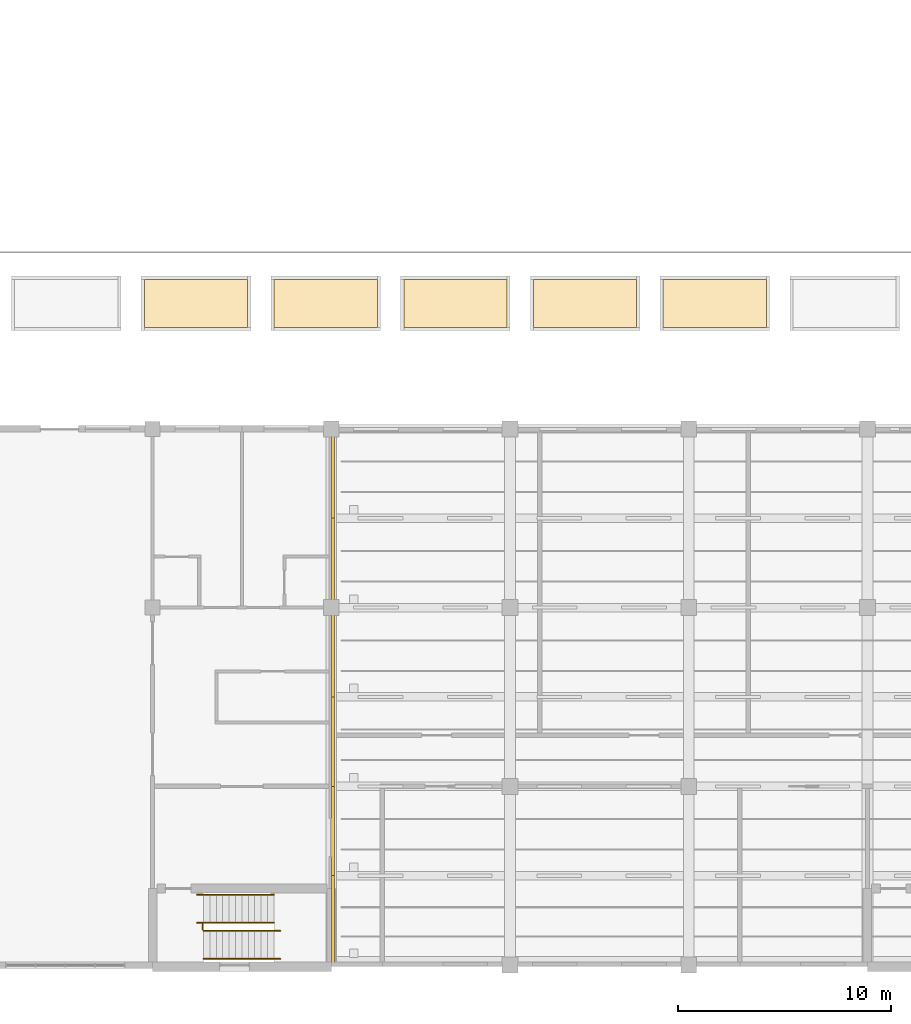
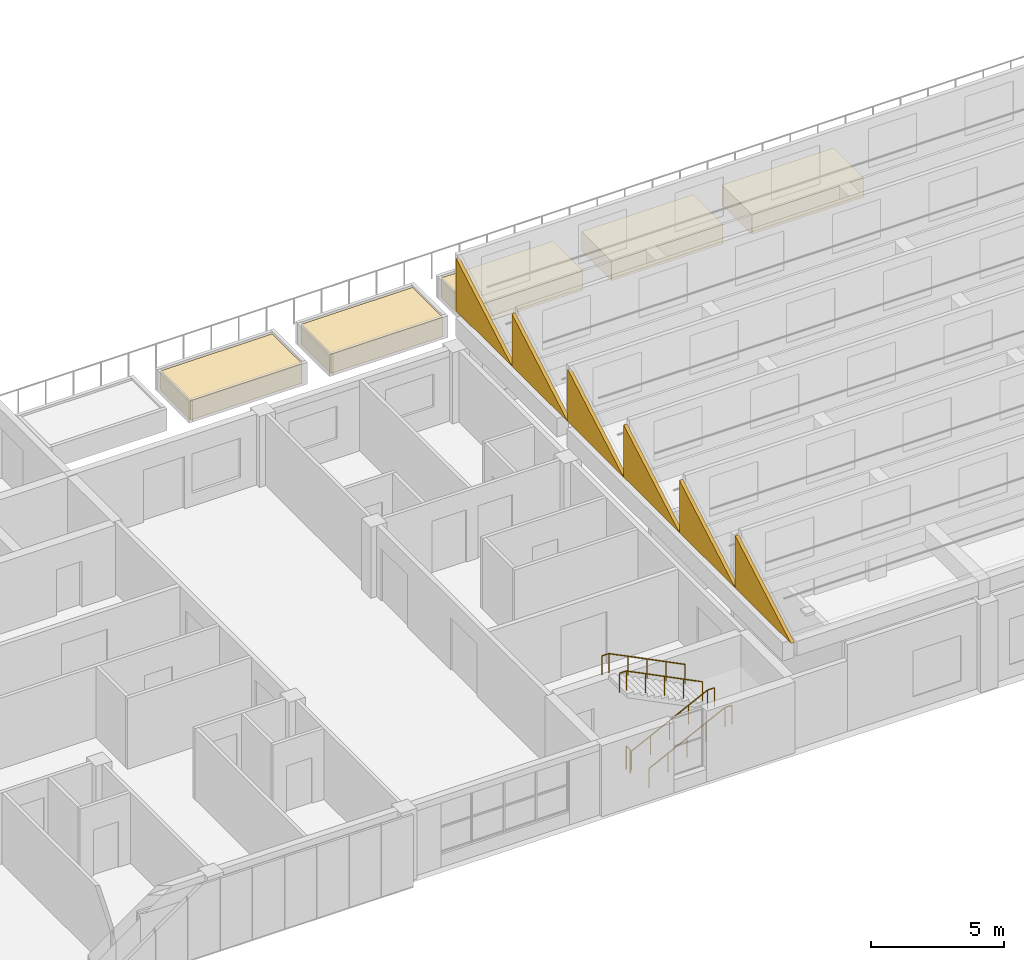
# One storey, part 54 of 61: 11 coverings, 5 railings.
"""IFC4 building model written with IfcOpenShell, lengths in metres."""

from ifc_helpers import new_model, si_unit, direction, frame, origin, origin_2d, place, context, subcontext, project, spatial, polyline, circle, outline, extrude, material, layer, layer_set, type_object, element, save


model = new_model("IFC4")

# Units and contexts
model_context = context("Model", 3, precision=1e-05, world=origin(), true_north=direction((0.0, 1.0)))
body_context = subcontext(model_context, "Body", "Model", "MODEL_VIEW")
ifc_project = project(units=[si_unit("LENGTHUNIT", "METRE"), si_unit("AREAUNIT", "SQUARE_METRE"), si_unit("VOLUMEUNIT", "CUBIC_METRE"), si_unit("PLANEANGLEUNIT", "RADIAN"), si_unit("MASSUNIT", "GRAM", prefix="KILO")], contexts=[model_context])

# Site, building, storey
site_placement = place(None, origin())
site = spatial("IfcSite", under=ifc_project, at=site_placement, CompositionType="ELEMENT")
building_placement = place(site_placement, origin())
building = spatial("IfcBuilding", under=site, at=building_placement, Name="Yavir Park General Hospital", CompositionType="ELEMENT")
storey_placement = place(building_placement, frame((0.0, 0.0, 15.300048828125)))
storey = spatial("IfcBuildingStorey", under=building, at=storey_placement, Name="L03", CompositionType="ELEMENT", Elevation=15.300048828125)

# Coverings
ifc_material_1 = material(Name="Glass-fibre reinforced concrete", Category="concrete")
ifc_layer_1 = layer(ifc_material_1, 0.14990234375)
ifc_layer_set_1 = layer_set([ifc_layer_1], Name="Glass-fibre reinforced concrete")
covering_type_1 = type_object("IfcCoveringType", Name="Gable end GFRC panel 150", PredefinedType="CLADDING", material=ifc_layer_set_1)
for number, where, z_axis, x_axis, name in (
    (1, (42.0, 0.0, 4.846923828125), (-1.0, 0.0, 0.0), (0.0, 1.0, 0.0), "Gable end panel SAW-W-T01"),
    (2, (42.0, 4.199951171875, 4.846923828125), (-1.0, 0.0, 0.0), (0.0, 1.0, 0.0), "Gable end panel SAW-W-T02"),
):
    element("IfcCovering", number, at=place(storey_placement, frame(where, z_axis=z_axis, x_axis=x_axis)), inside=storey, type_object=covering_type_1, Name=name, PredefinedType="CLADDING", context=body_context, shape_type="SweptSolid", body=[
        extrude(outline(polyline([(0.0, 0.0), (4.199951171875, 0.0), (4.199951171875, -2.400146484375), (0.0, 0.0)])), origin(), (0.0, 0.0, -1.0), 0.14990234375),
    ])
covering_1_placement = place(storey_placement, frame((42.0, 8.39990234375, 4.846923828125), z_axis=(-1.0, 0.0, 0.0), x_axis=(0.0, 1.0, 0.0)))
element("IfcCovering", 3, at=covering_1_placement, inside=storey, type_object=covering_type_1, Name="Gable end panel SAW-W-T03", PredefinedType="CLADDING", context=body_context, shape_type="SweptSolid", body=[
    extrude(outline(polyline([(0.0, 0.0), (4.2001953125, 0.0), (4.2001953125, -2.400146484375), (0.0, 0.0)])), origin(), (0.0, 0.0, -1.0), 0.14990234375),
])
for number, where, z_axis, x_axis, name in (
    (4, (42.0, 12.60009765625, 4.846923828125), (-1.0, 0.0, 0.0), (0.0, 1.0, 0.0), "Gable end panel SAW-W-T04"),
    (5, (42.0, 16.800048828125, 4.846923828125), (-1.0, 0.0, 0.0), (0.0, 1.0, 0.0), "Gable end panel SAW-W-T05"),
    (6, (42.0, 21.0, 4.846923828125), (-1.0, 0.0, 0.0), (0.0, 1.0, 0.0), "Gable end panel SAW-W-T06"),
):
    element("IfcCovering", number, at=place(storey_placement, frame(where, z_axis=z_axis, x_axis=x_axis)), inside=storey, type_object=covering_type_1, Name=name, PredefinedType="CLADDING", context=body_context, shape_type="SweptSolid", body=[
        extrude(outline(polyline([(0.0, 0.0), (4.199951171875, 0.0), (4.199951171875, -2.400146484375), (0.0, 0.0)])), origin(), (0.0, 0.0, -1.0), 0.14990234375),
    ])
ifc_material_2 = material(Name="Green roof substrate")
ifc_layer_2 = layer(ifc_material_2, 0.89990234375)
ifc_layer_set_2 = layer_set([ifc_layer_2], Name="Green roof substrate")
covering_type_2 = type_object("IfcCoveringType", Name="Green roof substrate 900", PredefinedType="FLOORING", material=ifc_layer_set_2)
covering_2_placement = place(storey_placement, origin())
element("IfcCovering", 7, at=covering_2_placement, inside=storey, type_object=covering_type_2, Name="Planting bed substrate 2", PredefinedType="FLOORING", context=body_context, shape_type="SweptSolid", body=[
    extrude(outline(polyline([(33.218505859375, 29.97509765625), (38.068603515625, 29.97509765625), (38.068603515625, 32.22509765625), (33.218505859375, 32.22509765625), (33.218505859375, 29.97509765625)])), origin(), (0.0, 0.0, 1.0), 0.89990234375),
])
covering_3_placement = place(storey_placement, origin())
element("IfcCovering", 8, at=covering_3_placement, inside=storey, type_object=covering_type_2, Name="Planting bed substrate 3", PredefinedType="FLOORING", context=body_context, shape_type="SweptSolid", body=[
    extrude(outline(polyline([(39.314208984375, 29.97509765625), (44.1640625, 29.97509765625), (44.1640625, 32.22509765625), (39.314208984375, 32.22509765625), (39.314208984375, 29.97509765625)])), origin(), (0.0, 0.0, 1.0), 0.89990234375),
])
covering_4_placement = place(storey_placement, origin())
element("IfcCovering", 9, at=covering_4_placement, inside=storey, type_object=covering_type_2, Name="Planting bed substrate 4", PredefinedType="FLOORING", context=body_context, shape_type="SweptSolid", body=[
    extrude(outline(polyline([(45.409912109375, 29.97509765625), (50.259765625, 29.97509765625), (50.259765625, 32.22509765625), (45.409912109375, 32.22509765625), (45.409912109375, 29.97509765625)])), origin(), (0.0, 0.0, 1.0), 0.89990234375),
])
covering_5_placement = place(storey_placement, origin())
element("IfcCovering", 10, at=covering_5_placement, inside=storey, type_object=covering_type_2, Name="Planting bed substrate 5", PredefinedType="FLOORING", context=body_context, shape_type="SweptSolid", body=[
    extrude(outline(polyline([(51.50537109375, 29.97509765625), (56.35546875, 29.97509765625), (56.35546875, 32.22509765625), (51.50537109375, 32.22509765625), (51.50537109375, 29.97509765625)])), origin(), (0.0, 0.0, 1.0), 0.89990234375),
])
covering_6_placement = place(storey_placement, origin())
element("IfcCovering", 11, at=covering_6_placement, inside=storey, type_object=covering_type_2, Name="Planting bed substrate 6", PredefinedType="FLOORING", context=body_context, shape_type="SweptSolid", body=[
    extrude(outline(polyline([(57.60107421875, 29.97509765625), (62.451171875, 29.97509765625), (62.451171875, 32.22509765625), (57.60107421875, 32.22509765625), (57.60107421875, 29.97509765625)])), origin(), (0.0, 0.0, 1.0), 0.89990234375),
])

# Railings
ifc_material_3 = material(Name="Steel balustrade with infill rods", Category="steel")
railing_type_1 = type_object("IfcRailingType", Name="Stair guard, steel balustrade 1100 mm", PredefinedType="GUARDRAIL", material=ifc_material_3)
railing_placement = place(storey_placement, frame((35.969970703125, 1.64990234375, 0.0)))
element("IfcRailing", 12, at=railing_placement, inside=storey, type_object=railing_type_1, Name="Stair well guard SU2 L03", PredefinedType="GUARDRAIL", context=body_context, shape_type="SweptSolid", body=[
    extrude(circle(Radius=0.02392578125, at=origin_2d()), frame((0.0, 0.0, 1.076171875), z_axis=(0.0, 1.0, 0.0), x_axis=(-1.0, 0.0, 0.0)), (0.0, 0.0, 1.0), 0.300048828125),
    extrude(circle(Radius=0.02099609375, at=origin_2d()), origin(), (0.0, 0.0, 1.0), 1.052001953125),
    extrude(circle(Radius=0.02099609375, at=origin_2d()), frame((0.0, 0.300048828125, 0.0)), (0.0, 0.0, 1.0), 1.052001953125),
])
ifc_material_4 = material(Name="Stainless steel tube 48 mm", Category="steel")
railing_type_2 = type_object("IfcRailingType", Name="Stair handrail, steel tube, 900 mm above the nosings", PredefinedType="HANDRAIL", material=ifc_material_4)
for number, where, name in (
    (13, (36.0, 0.2900390625, 0.14990234375), "Handrail SU2 L03 1"),
    (14, (36.0, 1.610107421875, 0.14990234375), "Handrail SU2 L03 2"),
):
    element("IfcRailing", number, at=place(storey_placement, frame(where)), inside=storey, type_object=railing_type_2, Name=name, PredefinedType="HANDRAIL", context=body_context, shape_type="SweptSolid", body=[
        extrude(circle(Radius=0.02392578125, at=origin_2d()), frame((0.0, 0.0, 0.8759765625), z_axis=(0.894413956696, 0.0, 0.447240063129), x_axis=(0.0, 1.0, 0.0)), (0.0, 0.0, 1.0), 3.689697265625),
        extrude(circle(Radius=0.02392578125, at=origin_2d()), frame((3.300048828125, 0.0, 2.52587890625), z_axis=(1.0, 0.0, 0.0), x_axis=(0.0, 1.0, 0.0)), (0.0, 0.0, 1.0), 0.300048828125),
        extrude(circle(Radius=0.02099609375, at=origin_2d()), origin(), (0.0, 0.0, 1.0), 0.851806640625),
        extrude(circle(Radius=0.02099609375, at=origin_2d()), frame((0.824951171875, 0.0, 0.41259765625)), (0.0, 0.0, 1.0), 0.851806640625),
        extrude(circle(Radius=0.02099609375, at=origin_2d()), frame((1.64990234375, 0.0, 0.8251953125)), (0.0, 0.0, 1.0), 0.851806640625),
        extrude(circle(Radius=0.02099609375, at=origin_2d()), frame((2.47509765625, 0.0, 1.237548828125)), (0.0, 0.0, 1.0), 0.851806640625),
        extrude(circle(Radius=0.02099609375, at=origin_2d()), frame((3.300048828125, 0.0, 1.650146484375)), (0.0, 0.0, 1.0), 0.851806640625),
        extrude(circle(Radius=0.02099609375, at=origin_2d()), frame((3.60009765625, 0.0, 1.650146484375)), (0.0, 0.0, 1.0), 0.851806640625),
    ])
for number, where, name in (
    (15, (39.300048828125, 3.31005859375, 1.949951171875), "Handrail SU2 L03 3"),
    (16, (39.300048828125, 1.989990234375, 1.949951171875), "Handrail SU2 L03 4"),
):
    element("IfcRailing", number, at=place(storey_placement, frame(where)), inside=storey, type_object=railing_type_2, Name=name, PredefinedType="HANDRAIL", context=body_context, shape_type="SweptSolid", body=[
        extrude(circle(Radius=0.02392578125, at=origin_2d()), frame((0.0, 0.0, 0.8759765625), z_axis=(-0.894440424912, 0.0, 0.447187126696), x_axis=(0.0, -1.0, 0.0)), (0.0, 0.0, 1.0), 3.689453125),
        extrude(circle(Radius=0.02392578125, at=origin_2d()), frame((-3.300048828125, 0.0, 2.52587890625), z_axis=(-1.0, 0.0, 0.0), x_axis=(0.0, -1.0, 0.0)), (0.0, 0.0, 1.0), 0.300048828125),
        extrude(circle(Radius=0.02099609375, at=origin_2d()), origin(), (0.0, 0.0, 1.0), 0.851806640625),
        extrude(circle(Radius=0.02099609375, at=origin_2d()), frame((-0.824951171875, 0.0, 0.41259765625)), (0.0, 0.0, 1.0), 0.851806640625),
        extrude(circle(Radius=0.02099609375, at=origin_2d()), frame((-1.64990234375, 0.0, 0.824951171875)), (0.0, 0.0, 1.0), 0.851806640625),
        extrude(circle(Radius=0.02099609375, at=origin_2d()), frame((-2.47509765625, 0.0, 1.2373046875)), (0.0, 0.0, 1.0), 0.851806640625),
        extrude(circle(Radius=0.02099609375, at=origin_2d()), frame((-3.300048828125, 0.0, 1.64990234375)), (0.0, 0.0, 1.0), 0.851806640625),
        extrude(circle(Radius=0.02099609375, at=origin_2d()), frame((-3.60009765625, 0.0, 1.64990234375)), (0.0, 0.0, 1.0), 0.851806640625),
    ])

save(model, "model.ifc")
